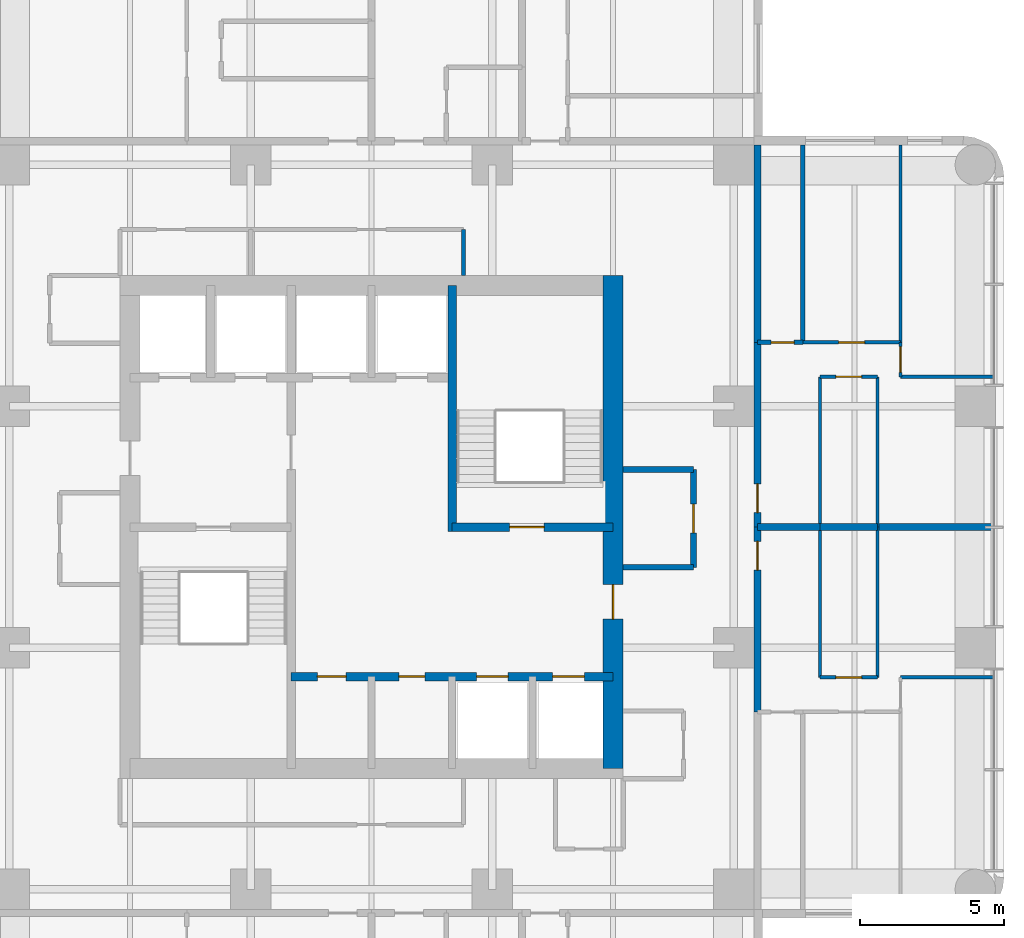
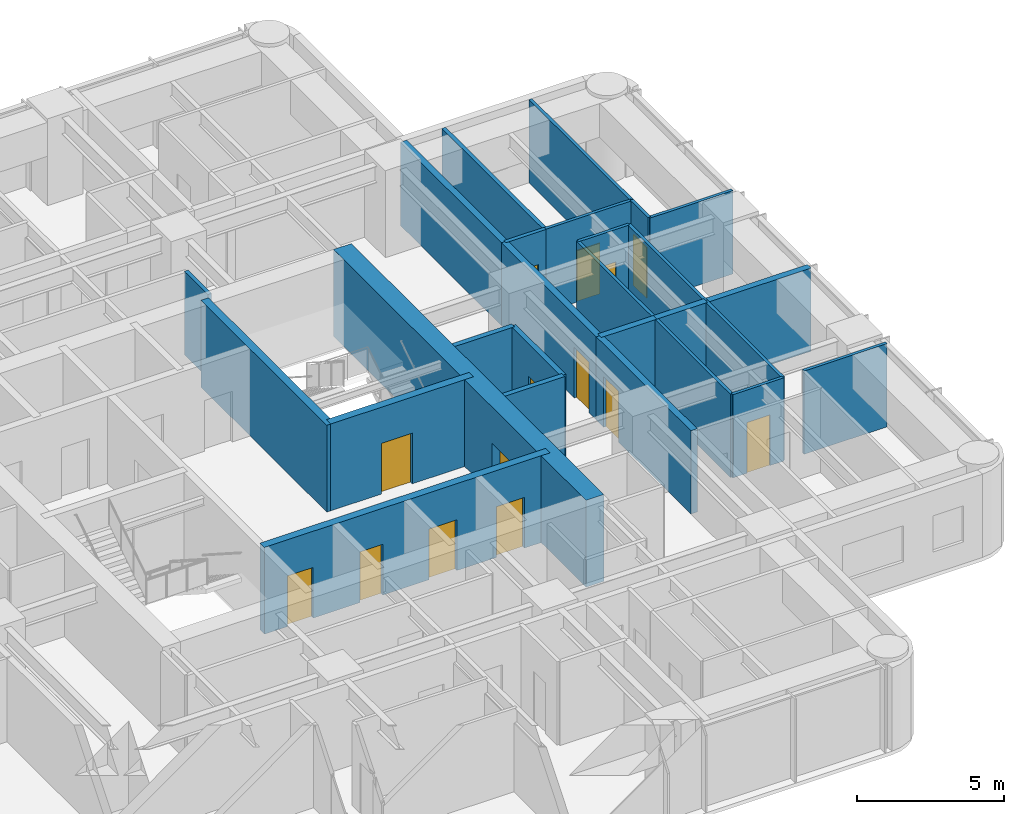
# One storey, part 8 of 11: 27 walls, 14 doors, 14 openings.
"""IFC4 building model written with IfcOpenShell, lengths in metres."""

from ifc_helpers import new_model, si_unit, direction, frame, frame_2d, origin, place, context, subcontext, project, spatial, rectangle, extrude, material, layer, layer_set, type_object, element, fill, save


model = new_model("IFC4")

# Units and contexts
model_context = context("Model", 3, precision=1e-05, world=origin(), true_north=direction((0.0, 1.0)))
body_context = subcontext(model_context, "Body", "Model", "MODEL_VIEW")
ifc_project = project(units=[si_unit("LENGTHUNIT", "METRE"), si_unit("AREAUNIT", "SQUARE_METRE"), si_unit("VOLUMEUNIT", "CUBIC_METRE"), si_unit("PLANEANGLEUNIT", "RADIAN"), si_unit("MASSUNIT", "GRAM", prefix="KILO")], contexts=[model_context])

# Site, building, storey
site_placement = place(None, origin())
site = spatial("IfcSite", under=ifc_project, at=site_placement, CompositionType="ELEMENT")
building_placement = place(site_placement, origin())
building = spatial("IfcBuilding", under=site, at=building_placement, Name="Torre Alcanfor", CompositionType="ELEMENT")
storey_placement = place(building_placement, frame((0.0, 0.0, 201.300048828125)))
storey = spatial("IfcBuildingStorey", under=building, at=storey_placement, Name="L52", CompositionType="ELEMENT", Elevation=201.300048828125)

# Wall, opening, door
ifc_material_1 = material(Name="Concrete block masonry, hollow blocks NMX-C-404 9 MPa", Category="masonry")
ifc_layer_1 = layer(ifc_material_1, 0.25)
ifc_layer_set_1 = layer_set([ifc_layer_1], Name="Apartment entrance wall 250 EI 60")
wall_type_1 = type_object("IfcWallType", Name="Apartment entrance wall 250 EI 60", PredefinedType="PARTITIONING", material=ifc_layer_set_1)
wall_1_placement = place(storey_placement, frame((42.824951171875, 35.8291015625, 0.0), z_axis=(0.0, 0.0, 1.0), x_axis=(0.0, -1.0, 0.0)))
wall_1 = element("IfcWall", 1, at=wall_1_placement, inside=storey, type_object=wall_type_1, Name="Partition L52-CORR / L52-E1-LIVING", PredefinedType="PARTITIONING", context=body_context, shape_type="SweptSolid", body=[
    extrude(rectangle(XDim=6.42919921875, YDim=0.25, at=frame_2d((3.214599609375, 0.0))), origin(), (0.0, 0.0, 1.0), 3.449951171875),
])
opening_1_placement = place(wall_1_placement, frame((4.928955078125, 0.0, 0.0)))
opening_1 = element("IfcOpeningElement", 2, at=opening_1_placement, cuts=wall_1, Name="Opening D-A1", PredefinedType="OPENING", context=body_context, shape_type="SweptSolid", body=[
    extrude(rectangle(XDim=1.0, YDim=2.10009765625, at=frame_2d((0.5, 1.050048828125))), frame((0.0, 0.135009765625, 0.0), z_axis=(0.0, -1.0, 0.0), x_axis=(1.0, 0.0, 0.0)), (0.0, 0.0, 1.0), 0.27001953125),
])
ifc_material_2 = material(Name="Galvanised steel sheet ASTM A653", Category="steel")
door_type_1 = type_object("IfcDoorType", Name="Apartment entrance door FD60 1000x2100", OperationType="SINGLE_SWING_LEFT", PredefinedType="DOOR", material=ifc_material_2)
door_1_placement = place(opening_1_placement, origin())
door_1 = element("IfcDoor", 3, at=door_1_placement, inside=storey, type_object=door_type_1, Name="Apartment entrance L52-E1", OperationType="SINGLE_SWING_RIGHT", OverallHeight=2.10009765625, OverallWidth=1.0, PredefinedType="DOOR", context=body_context, shape_type="SweptSolid", body=[
    extrude(rectangle(XDim=1.0, YDim=2.10009765625, at=frame_2d((0.5, 1.050048828125))), frame((0.0, 0.02490234375, 0.0), z_axis=(0.0, -1.0, 0.0), x_axis=(1.0, 0.0, 0.0)), (0.0, 0.0, 1.0), 0.050048828125),
])
fill(opening_1, door_1)

# Wall
wall_2_placement = place(storey_placement, frame((42.824951171875, 42.699951171875, 0.0), z_axis=(0.0, 0.0, 1.0), x_axis=(0.0, -1.0, 0.0)))
element("IfcWall", 4, at=wall_2_placement, inside=storey, type_object=wall_type_1, Name="Partition L52-CORR / L52-E1-BATH", PredefinedType="PARTITIONING", context=body_context, shape_type="SweptSolid", body=[
    extrude(rectangle(XDim=6.870849609375, YDim=0.25, at=frame_2d((3.435546875, 0.0))), origin(), (0.0, 0.0, 1.0), 3.449951171875),
])

# Wall, opening, door
wall_3_placement = place(storey_placement, frame((42.824951171875, 29.39990234375, 0.0), z_axis=(0.0, 0.0, 1.0), x_axis=(0.0, -1.0, 0.0)))
wall_3 = element("IfcWall", 5, at=wall_3_placement, inside=storey, type_object=wall_type_1, Name="Partition L52-CORR / L52-E2-LIVING", PredefinedType="PARTITIONING", context=body_context, shape_type="SweptSolid", body=[
    extrude(rectangle(XDim=6.428955078125, YDim=0.25, at=frame_2d((3.21435546875, 0.0))), origin(), (0.0, 0.0, 1.0), 3.449951171875),
])
opening_2_placement = place(wall_3_placement, frame((0.5, 0.0, 0.0)))
opening_2 = element("IfcOpeningElement", 6, at=opening_2_placement, cuts=wall_3, Name="Opening D-A1", PredefinedType="OPENING", context=body_context, shape_type="SweptSolid", body=[
    extrude(rectangle(XDim=1.0, YDim=2.10009765625, at=frame_2d((0.5, 1.050048828125))), frame((0.0, 0.135009765625, 0.0), z_axis=(0.0, -1.0, 0.0), x_axis=(1.0, 0.0, 0.0)), (0.0, 0.0, 1.0), 0.27001953125),
])
door_2_placement = place(opening_2_placement, origin())
door_2 = element("IfcDoor", 7, at=door_2_placement, inside=storey, type_object=door_type_1, Name="Apartment entrance L52-E2", OperationType="SINGLE_SWING_LEFT", OverallHeight=2.10009765625, OverallWidth=1.0, PredefinedType="DOOR", context=body_context, shape_type="SweptSolid", body=[
    extrude(rectangle(XDim=1.0, YDim=2.10009765625, at=frame_2d((0.5, 1.050048828125))), frame((0.0, 0.02490234375, 0.0), z_axis=(0.0, -1.0, 0.0), x_axis=(1.0, 0.0, 0.0)), (0.0, 0.0, 1.0), 0.050048828125),
])
fill(opening_2, door_2)

# Wall
ifc_material_3 = material(Name="Gypsum board on steel studs", Category="steel")
ifc_layer_2 = layer(ifc_material_3, 0.1201171875)
ifc_layer_set_2 = layer_set([ifc_layer_2], Name="Apartment partition 120")
wall_type_2 = type_object("IfcWallType", Name="Apartment partition 120", PredefinedType="PARTITIONING", material=ifc_layer_set_2)
wall_4_placement = place(storey_placement, frame((47.0, 29.39990234375, 0.0), z_axis=(0.0, 0.0, 1.0), x_axis=(0.0, 1.0, 0.0)))
element("IfcWall", 8, at=wall_4_placement, inside=storey, type_object=wall_type_2, Name="Partition L52-E1-KITCHEN / L52-E1-LIVING", PredefinedType="PARTITIONING", context=body_context, shape_type="SweptSolid", body=[
    extrude(rectangle(XDim=5.22900390625, YDim=0.1201171875, at=frame_2d((2.614501953125, 0.0))), origin(), (0.0, 0.0, 1.0), 3.449951171875),
])

# Wall, opening, door
wall_5_placement = place(storey_placement, frame((47.0, 34.62890625, 0.0), z_axis=(0.0, 0.0, 1.0), x_axis=(-1.0, 0.0, 0.0)))
wall_5 = element("IfcWall", 9, at=wall_5_placement, inside=storey, type_object=wall_type_2, Name="Partition L52-E1-KITCHEN / L52-E1-LIVING", PredefinedType="PARTITIONING", context=body_context, shape_type="SweptSolid", body=[
    extrude(rectangle(XDim=2.0, YDim=0.1201171875, at=frame_2d((1.0, 0.0))), origin(), (0.0, 0.0, 1.0), 3.449951171875),
])
opening_3_placement = place(wall_5_placement, frame((0.550048828125, 0.0, 0.0)))
opening_3 = element("IfcOpeningElement", 10, at=opening_3_placement, cuts=wall_5, Name="Opening D-R1", PredefinedType="OPENING", context=body_context, shape_type="SweptSolid", body=[
    extrude(rectangle(XDim=0.89990234375, YDim=2.10009765625, at=frame_2d((0.449951171875, 1.050048828125))), frame((0.0, 0.070068359375, 0.0), z_axis=(0.0, -1.0, 0.0), x_axis=(1.0, 0.0, 0.0)), (0.0, 0.0, 1.0), 0.14013671875),
])
ifc_material_4 = material(Name="Timber", Category="wood")
door_type_2 = type_object("IfcDoorType", Name="Internal door 900x2100", OperationType="SINGLE_SWING_LEFT", PredefinedType="DOOR", material=ifc_material_4)
door_3_placement = place(opening_3_placement, origin())
door_3 = element("IfcDoor", 11, at=door_3_placement, inside=storey, type_object=door_type_2, Name="Door L52-E1 kitchen", OperationType="SINGLE_SWING_LEFT", OverallHeight=2.10009765625, OverallWidth=0.89990234375, PredefinedType="DOOR", context=body_context, shape_type="SweptSolid", body=[
    extrude(rectangle(XDim=0.89990234375, YDim=2.10009765625, at=frame_2d((0.449951171875, 1.050048828125))), frame((0.0, 0.02490234375, 0.0), z_axis=(0.0, -1.0, 0.0), x_axis=(1.0, 0.0, 0.0)), (0.0, 0.0, 1.0), 0.050048828125),
])
fill(opening_3, door_3)

# Wall
wall_6_placement = place(storey_placement, frame((45.0, 34.62890625, 0.0), z_axis=(0.0, 0.0, 1.0), x_axis=(0.0, -1.0, 0.0)))
element("IfcWall", 12, at=wall_6_placement, inside=storey, type_object=wall_type_2, Name="Partition L52-E1-KITCHEN / L52-E1-LIVING", PredefinedType="PARTITIONING", context=body_context, shape_type="SweptSolid", body=[
    extrude(rectangle(XDim=5.22900390625, YDim=0.1201171875, at=frame_2d((2.614501953125, 0.0))), origin(), (0.0, 0.0, 1.0), 3.449951171875),
])

# Wall, opening, door
wall_7_placement = place(storey_placement, frame((44.39990234375, 35.8291015625, 0.0), z_axis=(0.0, 0.0, 1.0), x_axis=(1.0, 0.0, 0.0)))
wall_7 = element("IfcWall", 13, at=wall_7_placement, inside=storey, type_object=wall_type_2, Name="Partition L52-E1-LIVING / L52-E1-STUDY", PredefinedType="PARTITIONING", context=body_context, shape_type="SweptSolid", body=[
    extrude(rectangle(XDim=3.400146484375, YDim=0.1201171875, at=frame_2d((1.7001953125, 0.0))), origin(), (0.0, 0.0, 1.0), 3.449951171875),
])
opening_4_placement = place(wall_7_placement, frame((1.25, 0.0, 0.0)))
opening_4 = element("IfcOpeningElement", 14, at=opening_4_placement, cuts=wall_7, Name="Opening D-R1", PredefinedType="OPENING", context=body_context, shape_type="SweptSolid", body=[
    extrude(rectangle(XDim=0.89990234375, YDim=2.10009765625, at=frame_2d((0.449951171875, 1.050048828125))), frame((0.0, 0.070068359375, 0.0), z_axis=(0.0, -1.0, 0.0), x_axis=(1.0, 0.0, 0.0)), (0.0, 0.0, 1.0), 0.14013671875),
])
door_4_placement = place(opening_4_placement, origin())
door_4 = element("IfcDoor", 15, at=door_4_placement, inside=storey, type_object=door_type_2, Name="Door L52-E1 study", OperationType="SINGLE_SWING_LEFT", OverallHeight=2.10009765625, OverallWidth=0.89990234375, PredefinedType="DOOR", context=body_context, shape_type="SweptSolid", body=[
    extrude(rectangle(XDim=0.89990234375, YDim=2.10009765625, at=frame_2d((0.449951171875, 1.050048828125))), frame((0.0, 0.02490234375, 0.0), z_axis=(0.0, -1.0, 0.0), x_axis=(1.0, 0.0, 0.0)), (0.0, 0.0, 1.0), 0.050048828125),
])
fill(opening_4, door_4)

wall_8_placement = place(storey_placement, frame((47.800048828125, 35.8291015625, 0.0), z_axis=(0.0, 0.0, 1.0), x_axis=(0.0, -1.0, 0.0)))
wall_8 = element("IfcWall", 16, at=wall_8_placement, inside=storey, type_object=wall_type_2, Name="Partition L52-E1-LIVING / L52-E1-MASTER", PredefinedType="PARTITIONING", context=body_context, shape_type="SweptSolid", body=[
    extrude(rectangle(XDim=1.2001953125, YDim=0.1201171875, at=frame_2d((0.60009765625, 0.0))), origin(), (0.0, 0.0, 1.0), 3.449951171875),
])
opening_5_placement = place(wall_8_placement, frame((0.14892578125, 0.0, 0.0)))
opening_5 = element("IfcOpeningElement", 17, at=opening_5_placement, cuts=wall_8, Name="Opening D-R1", PredefinedType="OPENING", context=body_context, shape_type="SweptSolid", body=[
    extrude(rectangle(XDim=0.89990234375, YDim=2.10009765625, at=frame_2d((0.449951171875, 1.050048828125))), frame((0.0, 0.070068359375, 0.0), z_axis=(0.0, -1.0, 0.0), x_axis=(1.0, 0.0, 0.0)), (0.0, 0.0, 1.0), 0.14013671875),
])
door_5_placement = place(opening_5_placement, origin())
door_5 = element("IfcDoor", 18, at=door_5_placement, inside=storey, type_object=door_type_2, Name="Door L52-E1 master", OperationType="SINGLE_SWING_RIGHT", OverallHeight=2.10009765625, OverallWidth=0.89990234375, PredefinedType="DOOR", context=body_context, shape_type="SweptSolid", body=[
    extrude(rectangle(XDim=0.89990234375, YDim=2.10009765625, at=frame_2d((0.449951171875, 1.050048828125))), frame((0.0, 0.02490234375, 0.0), z_axis=(0.0, -1.0, 0.0), x_axis=(1.0, 0.0, 0.0)), (0.0, 0.0, 1.0), 0.050048828125),
])
fill(opening_5, door_5)

# Walls
wall_9_placement = place(storey_placement, frame((47.800048828125, 34.62890625, 0.0), z_axis=(0.0, 0.0, 1.0), x_axis=(1.0, 0.0, 0.0)))
element("IfcWall", 19, at=wall_9_placement, inside=storey, type_object=wall_type_2, Name="Partition L52-E1-LIVING / L52-E1-MASTER", PredefinedType="PARTITIONING", context=body_context, shape_type="SweptSolid", body=[
    extrude(rectangle(XDim=3.25, YDim=0.1201171875, at=frame_2d((1.625, 0.0))), origin(), (0.0, 0.0, 1.0), 3.449951171875),
])
wall_10_placement = place(storey_placement, frame((47.800048828125, 35.8291015625, 0.0), z_axis=(0.0, 0.0, 1.0), x_axis=(0.0, 1.0, 0.0)))
element("IfcWall", 20, at=wall_10_placement, inside=storey, type_object=wall_type_2, Name="Partition L52-E1-STUDY / L52-E1-MASTER", PredefinedType="PARTITIONING", context=body_context, shape_type="SweptSolid", body=[
    extrude(rectangle(XDim=6.870849609375, YDim=0.1201171875, at=frame_2d((3.435546875, 0.0))), origin(), (0.0, 0.0, 1.0), 3.449951171875),
])
wall_11_placement = place(storey_placement, frame((47.0, 29.39990234375, 0.0), z_axis=(0.0, 0.0, 1.0), x_axis=(0.0, -1.0, 0.0)))
element("IfcWall", 21, at=wall_11_placement, inside=storey, type_object=wall_type_2, Name="Partition L52-E2-KITCHEN / L52-E2-LIVING", PredefinedType="PARTITIONING", context=body_context, shape_type="SweptSolid", body=[
    extrude(rectangle(XDim=5.22900390625, YDim=0.1201171875, at=frame_2d((2.614501953125, 0.0))), origin(), (0.0, 0.0, 1.0), 3.449951171875),
])

# Wall, opening, door
wall_12_placement = place(storey_placement, frame((47.0, 24.1708984375, 0.0), z_axis=(0.0, 0.0, 1.0), x_axis=(-1.0, 0.0, 0.0)))
wall_12 = element("IfcWall", 22, at=wall_12_placement, inside=storey, type_object=wall_type_2, Name="Partition L52-E2-KITCHEN / L52-E2-LIVING", PredefinedType="PARTITIONING", context=body_context, shape_type="SweptSolid", body=[
    extrude(rectangle(XDim=2.0, YDim=0.1201171875, at=frame_2d((1.0, 0.0))), origin(), (0.0, 0.0, 1.0), 3.449951171875),
])
opening_6_placement = place(wall_12_placement, frame((0.550048828125, 0.0, 0.0)))
opening_6 = element("IfcOpeningElement", 23, at=opening_6_placement, cuts=wall_12, Name="Opening D-R1", PredefinedType="OPENING", context=body_context, shape_type="SweptSolid", body=[
    extrude(rectangle(XDim=0.89990234375, YDim=2.10009765625, at=frame_2d((0.449951171875, 1.050048828125))), frame((0.0, 0.070068359375, 0.0), z_axis=(0.0, -1.0, 0.0), x_axis=(1.0, 0.0, 0.0)), (0.0, 0.0, 1.0), 0.14013671875),
])
door_6_placement = place(opening_6_placement, frame((0.89990234375, 0.0, 0.0), z_axis=(0.0, 0.0, 1.0), x_axis=(-1.0, 0.0, 0.0)))
door_6 = element("IfcDoor", 24, at=door_6_placement, inside=storey, type_object=door_type_2, Name="Door L52-E2 kitchen", OperationType="SINGLE_SWING_RIGHT", OverallHeight=2.10009765625, OverallWidth=0.89990234375, PredefinedType="DOOR", context=body_context, shape_type="SweptSolid", body=[
    extrude(rectangle(XDim=0.89990234375, YDim=2.10009765625, at=frame_2d((0.449951171875, 1.050048828125))), frame((0.0, 0.025146484375, 0.0), z_axis=(0.0, -1.0, 0.0), x_axis=(1.0, 0.0, 0.0)), (0.0, 0.0, 1.0), 0.050048828125),
])
fill(opening_6, door_6)

# Walls
wall_13_placement = place(storey_placement, frame((45.0, 24.1708984375, 0.0), z_axis=(0.0, 0.0, 1.0), x_axis=(0.0, 1.0, 0.0)))
element("IfcWall", 25, at=wall_13_placement, inside=storey, type_object=wall_type_2, Name="Partition L52-E2-KITCHEN / L52-E2-LIVING", PredefinedType="PARTITIONING", context=body_context, shape_type="SweptSolid", body=[
    extrude(rectangle(XDim=5.22900390625, YDim=0.1201171875, at=frame_2d((2.614501953125, 0.0))), origin(), (0.0, 0.0, 1.0), 3.449951171875),
])
wall_14_placement = place(storey_placement, frame((51.050048828125, 24.1708984375, 0.0), z_axis=(0.0, 0.0, 1.0), x_axis=(-1.0, 0.0, 0.0)))
element("IfcWall", 26, at=wall_14_placement, inside=storey, type_object=wall_type_2, Name="Partition L52-E2-LIVING / L52-E2-MASTER", PredefinedType="PARTITIONING", context=body_context, shape_type="SweptSolid", body=[
    extrude(rectangle(XDim=3.25, YDim=0.1201171875, at=frame_2d((1.625, 0.0))), origin(), (0.0, 0.0, 1.0), 3.449951171875),
])

# Wall, openings, doors
ifc_material_5 = material(Name="Concrete f'c 70 MPa", Category="concrete")
ifc_layer_3 = layer(ifc_material_5, 0.300048828125)
ifc_layer_set_3 = layer_set([ifc_layer_3], Name="Core inner wall 300 f'c70")
wall_type_3 = type_object("IfcWallType", Name="Core inner wall 300 f'c70", PredefinedType="SHEAR", material=ifc_layer_set_3)
wall_15_placement = place(storey_placement, frame((26.60009765625, 24.199951171875, 0.0), z_axis=(0.0, 0.0, 1.0), x_axis=(1.0, 0.0, 0.0)))
wall_15 = element("IfcWall", 27, at=wall_15_placement, inside=storey, type_object=wall_type_3, Name="Core wall Y242 L52", PredefinedType="SHEAR", context=body_context, shape_type="SweptSolid", body=[
    extrude(rectangle(XDim=11.199951171875, YDim=0.300048828125, at=frame_2d((5.60009765625, 0.0))), origin(), (0.0, 0.0, 1.0), 3.599853515625),
])
opening_7_placement = place(wall_15_placement, frame((0.91259765625, 0.0, 0.0)))
opening_7 = element("IfcOpeningElement", 28, at=opening_7_placement, cuts=wall_15, Name="Opening D-K1", PredefinedType="OPENING", context=body_context, shape_type="SweptSolid", body=[
    extrude(rectangle(XDim=1.0, YDim=2.10009765625, at=frame_2d((0.5, 1.050048828125))), frame((0.0, 0.159912109375, 0.0), z_axis=(0.0, -1.0, 0.0), x_axis=(1.0, 0.0, 0.0)), (0.0, 0.0, 1.0), 0.320068359375),
])
opening_8_placement = place(wall_15_placement, frame((3.75, 0.0, 0.0)))
opening_8 = element("IfcOpeningElement", 29, at=opening_8_placement, cuts=wall_15, Name="Opening D-Q1", PredefinedType="OPENING", context=body_context, shape_type="SweptSolid", body=[
    extrude(rectangle(XDim=0.89990234375, YDim=2.10009765625, at=frame_2d((0.449951171875, 1.050048828125))), frame((0.0, 0.159912109375, 0.0), z_axis=(0.0, -1.0, 0.0), x_axis=(1.0, 0.0, 0.0)), (0.0, 0.0, 1.0), 0.320068359375),
])
opening_9_placement = place(wall_15_placement, frame((6.449951171875, 0.0, 0.0)))
opening_9 = element("IfcOpeningElement", 30, at=opening_9_placement, cuts=wall_15, Name="Opening LD1", PredefinedType="OPENING", context=body_context, shape_type="SweptSolid", body=[
    extrude(rectangle(XDim=1.10009765625, YDim=2.10009765625, at=frame_2d((0.550048828125, 1.050048828125))), frame((0.0, 0.159912109375, 0.0), z_axis=(0.0, -1.0, 0.0), x_axis=(1.0, 0.0, 0.0)), (0.0, 0.0, 1.0), 0.320068359375),
])
opening_10_placement = place(wall_15_placement, frame((9.10009765625, 0.0, 0.0)))
opening_10 = element("IfcOpeningElement", 31, at=opening_10_placement, cuts=wall_15, Name="Opening LD1", PredefinedType="OPENING", context=body_context, shape_type="SweptSolid", body=[
    extrude(rectangle(XDim=1.10009765625, YDim=2.10009765625, at=frame_2d((0.550048828125, 1.050048828125))), frame((0.0, 0.159912109375, 0.0), z_axis=(0.0, -1.0, 0.0), x_axis=(1.0, 0.0, 0.0)), (0.0, 0.0, 1.0), 0.320068359375),
])
ifc_material_6 = material(Name="Galvanised steel sheet ASTM A653", Category="steel")
door_type_3 = type_object("IfcDoorType", Name="Core room door FD60 1000x2100", OperationType="SINGLE_SWING_LEFT", PredefinedType="DOOR", material=ifc_material_6)
door_7_placement = place(opening_7_placement, frame((1.0, 0.0, 0.0), z_axis=(0.0, 0.0, 1.0), x_axis=(-1.0, 0.0, 0.0)))
door_7 = element("IfcDoor", 32, at=door_7_placement, inside=storey, type_object=door_type_3, Name="Housekeeping store door L52", OperationType="SINGLE_SWING_RIGHT", OverallHeight=2.10009765625, OverallWidth=1.0, PredefinedType="DOOR", context=body_context, shape_type="SweptSolid", body=[
    extrude(rectangle(XDim=1.0, YDim=2.10009765625, at=frame_2d((0.5, 1.050048828125))), frame((0.0, 0.025146484375, 0.0), z_axis=(0.0, -1.0, 0.0), x_axis=(1.0, 0.0, 0.0)), (0.0, 0.0, 1.0), 0.050048828125),
])
fill(opening_7, door_7)
ifc_material_7 = material(Name="Galvanised steel sheet ASTM A653", Category="steel")
door_type_4 = type_object("IfcDoorType", Name="Lift landing door 1100x2100", OperationType="DOUBLE_DOOR_SLIDING", PredefinedType="DOOR", material=ifc_material_7)
door_8_placement = place(opening_9_placement, origin())
door_8 = element("IfcDoor", 33, at=door_8_placement, inside=storey, type_object=door_type_4, Name="Lift landing door PA3 L52", OperationType="DOUBLE_DOOR_SLIDING", OverallHeight=2.10009765625, OverallWidth=1.10009765625, PredefinedType="DOOR", context=body_context, shape_type="SweptSolid", body=[
    extrude(rectangle(XDim=1.10009765625, YDim=2.10009765625, at=frame_2d((0.550048828125, 1.050048828125))), frame((0.0, 0.02490234375, 0.0), z_axis=(0.0, -1.0, 0.0), x_axis=(1.0, 0.0, 0.0)), (0.0, 0.0, 1.0), 0.050048828125),
])
fill(opening_9, door_8)
door_9_placement = place(opening_10_placement, origin())
door_9 = element("IfcDoor", 34, at=door_9_placement, inside=storey, type_object=door_type_4, Name="Lift landing door PA4 L52", OperationType="DOUBLE_DOOR_SLIDING", OverallHeight=2.10009765625, OverallWidth=1.10009765625, PredefinedType="DOOR", context=body_context, shape_type="SweptSolid", body=[
    extrude(rectangle(XDim=1.10009765625, YDim=2.10009765625, at=frame_2d((0.550048828125, 1.050048828125))), frame((0.0, 0.02490234375, 0.0), z_axis=(0.0, -1.0, 0.0), x_axis=(1.0, 0.0, 0.0)), (0.0, 0.0, 1.0), 0.050048828125),
])
fill(opening_10, door_9)
ifc_material_8 = material(Name="Galvanised steel sheet ASTM A653", Category="steel")
door_type_5 = type_object("IfcDoorType", Name="Riser access door FD120 900x2100", OperationType="SINGLE_SWING_LEFT", PredefinedType="DOOR", material=ifc_material_8)
door_10_placement = place(opening_8_placement, frame((0.89990234375, 0.0, 0.0), z_axis=(0.0, 0.0, 1.0), x_axis=(-1.0, 0.0, 0.0)))
door_10 = element("IfcDoor", 35, at=door_10_placement, inside=storey, type_object=door_type_5, Name="Riser door L52", OperationType="SINGLE_SWING_RIGHT", OverallHeight=2.10009765625, OverallWidth=0.89990234375, PredefinedType="DOOR", context=body_context, shape_type="SweptSolid", body=[
    extrude(rectangle(XDim=0.89990234375, YDim=2.10009765625, at=frame_2d((0.449951171875, 1.050048828125))), frame((0.0, 0.025146484375, 0.0), z_axis=(0.0, -1.0, 0.0), x_axis=(1.0, 0.0, 0.0)), (0.0, 0.0, 1.0), 0.050048828125),
])
fill(opening_8, door_10)

# Wall
wall_16_placement = place(storey_placement, frame((32.199951171875, 29.25, 0.0), z_axis=(0.0, 0.0, 1.0), x_axis=(0.0, 1.0, 0.0)))
element("IfcWall", 36, at=wall_16_placement, inside=storey, type_object=wall_type_3, Name="Core wall X322N L52", PredefinedType="SHEAR", context=body_context, shape_type="SweptSolid", body=[
    extrude(rectangle(XDim=8.550048828125, YDim=0.300048828125, at=frame_2d((4.27490234375, 0.0))), origin(), (0.0, 0.0, 1.0), 3.599853515625),
])

# Wall, opening, door
wall_17_placement = place(storey_placement, frame((32.199951171875, 29.39990234375, 0.0), z_axis=(0.0, 0.0, 1.0), x_axis=(1.0, 0.0, 0.0)))
wall_17 = element("IfcWall", 37, at=wall_17_placement, inside=storey, type_object=wall_type_3, Name="Core wall Y294E L52", PredefinedType="SHEAR", context=body_context, shape_type="SweptSolid", body=[
    extrude(rectangle(XDim=5.60009765625, YDim=0.300048828125, at=frame_2d((2.800048828125, 0.0))), origin(), (0.0, 0.0, 1.0), 3.599853515625),
])
opening_11_placement = place(wall_17_placement, frame((2.0, 0.0, 0.0)))
opening_11 = element("IfcOpeningElement", 38, at=opening_11_placement, cuts=wall_17, Name="Opening D-S2", PredefinedType="OPENING", context=body_context, shape_type="SweptSolid", body=[
    extrude(rectangle(XDim=1.199951171875, YDim=2.10009765625, at=frame_2d((0.60009765625, 1.050048828125))), frame((0.0, 0.159912109375, 0.0), z_axis=(0.0, -1.0, 0.0), x_axis=(1.0, 0.0, 0.0)), (0.0, 0.0, 1.0), 0.320068359375),
])
ifc_material_9 = material(Name="Galvanised steel sheet ASTM A653", Category="steel")
door_type_6 = type_object("IfcDoorType", Name="Stair enclosure door FD120 1200x2100", OperationType="SINGLE_SWING_LEFT", PredefinedType="DOOR", material=ifc_material_9)
door_11_placement = place(opening_11_placement, origin())
door_11 = element("IfcDoor", 39, at=door_11_placement, inside=storey, type_object=door_type_6, Name="Stair S2 door L52", OperationType="SINGLE_SWING_LEFT", OverallHeight=2.10009765625, OverallWidth=1.199951171875, PredefinedType="DOOR", context=body_context, shape_type="SweptSolid", body=[
    extrude(rectangle(XDim=1.199951171875, YDim=2.10009765625, at=frame_2d((0.60009765625, 1.050048828125))), frame((0.0, 0.02490234375, 0.0), z_axis=(0.0, -1.0, 0.0), x_axis=(1.0, 0.0, 0.0)), (0.0, 0.0, 1.0), 0.050048828125),
])
fill(opening_11, door_11)

ifc_material_10 = material(Name="Concrete f'c 70 MPa", Category="concrete")
ifc_layer_4 = layer(ifc_material_10, 0.699951171875)
ifc_layer_set_4 = layer_set([ifc_layer_4], Name="Core wall 700 f'c70")
wall_type_4 = type_object("IfcWallType", Name="Core wall 700 f'c70", PredefinedType="SHEAR", material=ifc_layer_set_4)
wall_18_placement = place(storey_placement, frame((37.800048828125, 21.0, 0.0), z_axis=(0.0, 0.0, 1.0), x_axis=(0.0, 1.0, 0.0)))
wall_18 = element("IfcWall", 40, at=wall_18_placement, inside=storey, type_object=wall_type_4, Name="Core wall OUT-E L52", PredefinedType="SHEAR", context=body_context, shape_type="SweptSolid", body=[
    extrude(rectangle(XDim=17.14990234375, YDim=0.699951171875, at=frame_2d((8.574951171875, 0.0))), origin(), (0.0, 0.0, 1.0), 3.599853515625),
])
opening_12_placement = place(wall_18_placement, frame((5.199951171875, 0.0, 0.0)))
opening_12 = element("IfcOpeningElement", 41, at=opening_12_placement, cuts=wall_18, Name="Opening D-L1", PredefinedType="OPENING", context=body_context, shape_type="SweptSolid", body=[
    extrude(rectangle(XDim=1.199951171875, YDim=2.10009765625, at=frame_2d((0.60009765625, 1.050048828125))), frame((0.0, 0.35986328125, 0.0), z_axis=(0.0, -1.0, 0.0), x_axis=(1.0, 0.0, 0.0)), (0.0, 0.0, 1.0), 0.719970703125),
])
ifc_material_11 = material(Name="Galvanised steel sheet ASTM A653", Category="steel")
door_type_7 = type_object("IfcDoorType", Name="Lobby door FD120 1200x2100", OperationType="SINGLE_SWING_LEFT", PredefinedType="DOOR", material=ifc_material_11)
door_12_placement = place(opening_12_placement, origin())
door_12 = element("IfcDoor", 42, at=door_12_placement, inside=storey, type_object=door_type_7, Name="Lift lobby entrance door L52", OperationType="SINGLE_SWING_LEFT", OverallHeight=2.10009765625, OverallWidth=1.199951171875, PredefinedType="DOOR", context=body_context, shape_type="SweptSolid", body=[
    extrude(rectangle(XDim=1.199951171875, YDim=2.10009765625, at=frame_2d((0.60009765625, 1.050048828125))), frame((0.0, 0.02490234375, 0.0), z_axis=(0.0, -1.0, 0.0), x_axis=(1.0, 0.0, 0.0)), (0.0, 0.0, 1.0), 0.050048828125),
])
fill(opening_12, door_12)

# Walls
ifc_material_12 = material(Name="Concrete block masonry, hollow blocks NMX-C-404 9 MPa", Category="masonry")
ifc_layer_5 = layer(ifc_material_12, 0.25)
ifc_layer_set_5 = layer_set([ifc_layer_5], Name="Party wall 250 EI 60")
wall_type_5 = type_object("IfcWallType", Name="Party wall 250 EI 60", PredefinedType="PARTITIONING", material=ifc_layer_set_5)
wall_19_placement = place(storey_placement, frame((45.0, 29.39990234375, 0.0), z_axis=(0.0, 0.0, 1.0), x_axis=(1.0, 0.0, 0.0)))
element("IfcWall", 43, at=wall_19_placement, inside=storey, type_object=wall_type_5, Name="Partition L52-E1-KITCHEN / L52-E2-KITCHEN", PredefinedType="PARTITIONING", context=body_context, shape_type="SweptSolid", body=[
    extrude(rectangle(XDim=2.0, YDim=0.25, at=frame_2d((1.0, 0.0))), origin(), (0.0, 0.0, 1.0), 3.449951171875),
])
wall_20_placement = place(storey_placement, frame((45.0, 29.39990234375, 0.0), z_axis=(0.0, 0.0, 1.0), x_axis=(-1.0, 0.0, 0.0)))
element("IfcWall", 44, at=wall_20_placement, inside=storey, type_object=wall_type_5, Name="Partition L52-E1-LIVING / L52-E2-LIVING", PredefinedType="PARTITIONING", context=body_context, shape_type="SweptSolid", body=[
    extrude(rectangle(XDim=2.175048828125, YDim=0.25, at=frame_2d((1.08740234375, 0.0))), origin(), (0.0, 0.0, 1.0), 3.449951171875),
])
wall_21_placement = place(storey_placement, frame((51.050048828125, 29.39990234375, 0.0), z_axis=(0.0, 0.0, 1.0), x_axis=(-1.0, 0.0, 0.0)))
element("IfcWall", 45, at=wall_21_placement, inside=storey, type_object=wall_type_5, Name="Partition L52-E1-LIVING / L52-E2-LIVING", PredefinedType="PARTITIONING", context=body_context, shape_type="SweptSolid", body=[
    extrude(rectangle(XDim=4.050048828125, YDim=0.25, at=frame_2d((2.02490234375, 0.0))), origin(), (0.0, 0.0, 1.0), 3.449951171875),
])
ifc_material_13 = material(Name="Concrete block masonry, hollow blocks NMX-C-404 9 MPa", Category="masonry")
ifc_layer_6 = layer(ifc_material_13, 0.199951171875)
ifc_layer_set_6 = layer_set([ifc_layer_6], Name="Plant room wall 200 EI 60")
wall_type_6 = type_object("IfcWallType", Name="Plant room wall 200 EI 60", PredefinedType="PARTITIONING", material=ifc_layer_set_6)
wall_22_placement = place(storey_placement, frame((38.14990234375, 28.0, 0.0), z_axis=(0.0, 0.0, 1.0), x_axis=(1.0, 0.0, 0.0)))
element("IfcWall", 46, at=wall_22_placement, inside=storey, type_object=wall_type_6, Name="Partition L52-CORR / L52-G04", PredefinedType="PARTITIONING", context=body_context, shape_type="SweptSolid", body=[
    extrude(rectangle(XDim=2.4501953125, YDim=0.199951171875, at=frame_2d((1.22509765625, 0.0))), origin(), (0.0, 0.0, 1.0), 3.449951171875),
])

# Wall, opening, door
wall_23_placement = place(storey_placement, frame((40.60009765625, 28.0, 0.0), z_axis=(0.0, 0.0, 1.0), x_axis=(0.0, 1.0, 0.0)))
wall_23 = element("IfcWall", 47, at=wall_23_placement, inside=storey, type_object=wall_type_6, Name="Partition L52-CORR / L52-G04", PredefinedType="PARTITIONING", context=body_context, shape_type="SweptSolid", body=[
    extrude(rectangle(XDim=3.39990234375, YDim=0.199951171875, at=frame_2d((1.699951171875, 0.0))), origin(), (0.0, 0.0, 1.0), 3.449951171875),
])
opening_13_placement = place(wall_23_placement, frame((1.199951171875, 0.0, 0.0)))
opening_13 = element("IfcOpeningElement", 48, at=opening_13_placement, cuts=wall_23, Name="Opening D-K1", PredefinedType="OPENING", context=body_context, shape_type="SweptSolid", body=[
    extrude(rectangle(XDim=1.0, YDim=2.10009765625, at=frame_2d((0.5, 1.050048828125))), frame((0.0, 0.10986328125, 0.0), z_axis=(0.0, -1.0, 0.0), x_axis=(1.0, 0.0, 0.0)), (0.0, 0.0, 1.0), 0.219970703125),
])
door_13_placement = place(opening_13_placement, origin())
door_13 = element("IfcDoor", 49, at=door_13_placement, inside=storey, type_object=door_type_3, Name="Door L52-G04 refuse and recycling store", OperationType="SINGLE_SWING_LEFT", OverallHeight=2.10009765625, OverallWidth=1.0, PredefinedType="DOOR", context=body_context, shape_type="SweptSolid", body=[
    extrude(rectangle(XDim=1.0, YDim=2.10009765625, at=frame_2d((0.5, 1.050048828125))), frame((0.0, 0.02490234375, 0.0), z_axis=(0.0, -1.0, 0.0), x_axis=(1.0, 0.0, 0.0)), (0.0, 0.0, 1.0), 0.050048828125),
])
fill(opening_13, door_13)

# Walls
wall_24_placement = place(storey_placement, frame((40.60009765625, 31.39990234375, 0.0), z_axis=(0.0, 0.0, 1.0), x_axis=(-1.0, 0.0, 0.0)))
element("IfcWall", 50, at=wall_24_placement, inside=storey, type_object=wall_type_6, Name="Partition L52-CORR / L52-G04", PredefinedType="PARTITIONING", context=body_context, shape_type="SweptSolid", body=[
    extrude(rectangle(XDim=2.4501953125, YDim=0.199951171875, at=frame_2d((1.22509765625, 0.0))), origin(), (0.0, 0.0, 1.0), 3.449951171875),
])
ifc_material_14 = material(Name="Concrete block masonry, hollow blocks NMX-C-404 9 MPa", Category="masonry")
ifc_layer_7 = layer(ifc_material_14, 0.14990234375)
ifc_layer_set_7 = layer_set([ifc_layer_7], Name="Residents' room partition 150")
wall_type_7 = type_object("IfcWallType", Name="Residents' room partition 150", PredefinedType="PARTITIONING", material=ifc_layer_set_7)
wall_25_placement = place(storey_placement, frame((32.60009765625, 38.14990234375, 0.0), z_axis=(0.0, 0.0, 1.0), x_axis=(0.0, 1.0, 0.0)))
element("IfcWall", 51, at=wall_25_placement, inside=storey, type_object=wall_type_7, Name="Partition L52-CORR / L52-G02", PredefinedType="PARTITIONING", context=body_context, shape_type="SweptSolid", body=[
    extrude(rectangle(XDim=1.60009765625, YDim=0.14990234375, at=frame_2d((0.800048828125, 0.0))), origin(), (0.0, 0.0, 1.0), 3.449951171875),
])

# Wall, opening, door
ifc_material_15 = material(Name="Cement board on steel studs", Category="steel")
ifc_layer_8 = layer(ifc_material_15, 0.14990234375)
ifc_layer_set_8 = layer_set([ifc_layer_8], Name="Wet area partition 150")
wall_type_8 = type_object("IfcWallType", Name="Wet area partition 150", PredefinedType="PARTITIONING", material=ifc_layer_set_8)
wall_26_placement = place(storey_placement, frame((42.824951171875, 35.8291015625, 0.0), z_axis=(0.0, 0.0, 1.0), x_axis=(1.0, 0.0, 0.0)))
wall_26 = element("IfcWall", 52, at=wall_26_placement, inside=storey, type_object=wall_type_8, Name="Partition L52-E1-LIVING / L52-E1-BATH", PredefinedType="PARTITIONING", context=body_context, shape_type="SweptSolid", body=[
    extrude(rectangle(XDim=1.574951171875, YDim=0.14990234375, at=frame_2d((0.78759765625, 0.0))), origin(), (0.0, 0.0, 1.0), 3.449951171875),
])
opening_14_placement = place(wall_26_placement, frame((0.47509765625, 0.0, 0.0)))
opening_14 = element("IfcOpeningElement", 53, at=opening_14_placement, cuts=wall_26, Name="Opening D-R2", PredefinedType="OPENING", context=body_context, shape_type="SweptSolid", body=[
    extrude(rectangle(XDim=0.800048828125, YDim=2.10009765625, at=frame_2d((0.39990234375, 1.050048828125))), frame((0.0, 0.0849609375, 0.0), z_axis=(0.0, -1.0, 0.0), x_axis=(1.0, 0.0, 0.0)), (0.0, 0.0, 1.0), 0.169921875),
])
ifc_material_16 = material(Name="Timber", Category="wood")
door_type_8 = type_object("IfcDoorType", Name="Bathroom door 800x2100", OperationType="SINGLE_SWING_LEFT", PredefinedType="DOOR", material=ifc_material_16)
door_14_placement = place(opening_14_placement, origin())
door_14 = element("IfcDoor", 54, at=door_14_placement, inside=storey, type_object=door_type_8, Name="Door L52-E1 bath", OperationType="SINGLE_SWING_RIGHT", OverallHeight=2.10009765625, OverallWidth=0.800048828125, PredefinedType="DOOR", context=body_context, shape_type="SweptSolid", body=[
    extrude(rectangle(XDim=0.800048828125, YDim=2.10009765625, at=frame_2d((0.39990234375, 1.050048828125))), frame((0.0, 0.02490234375, 0.0), z_axis=(0.0, -1.0, 0.0), x_axis=(1.0, 0.0, 0.0)), (0.0, 0.0, 1.0), 0.050048828125),
])
fill(opening_14, door_14)

# Wall
wall_27_placement = place(storey_placement, frame((44.39990234375, 35.8291015625, 0.0), z_axis=(0.0, 0.0, 1.0), x_axis=(0.0, 1.0, 0.0)))
element("IfcWall", 55, at=wall_27_placement, inside=storey, type_object=wall_type_8, Name="Partition L52-E1-BATH / L52-E1-STUDY", PredefinedType="PARTITIONING", context=body_context, shape_type="SweptSolid", body=[
    extrude(rectangle(XDim=6.870849609375, YDim=0.14990234375, at=frame_2d((3.435546875, 0.0))), origin(), (0.0, 0.0, 1.0), 3.449951171875),
])

save(model, "model.ifc")
